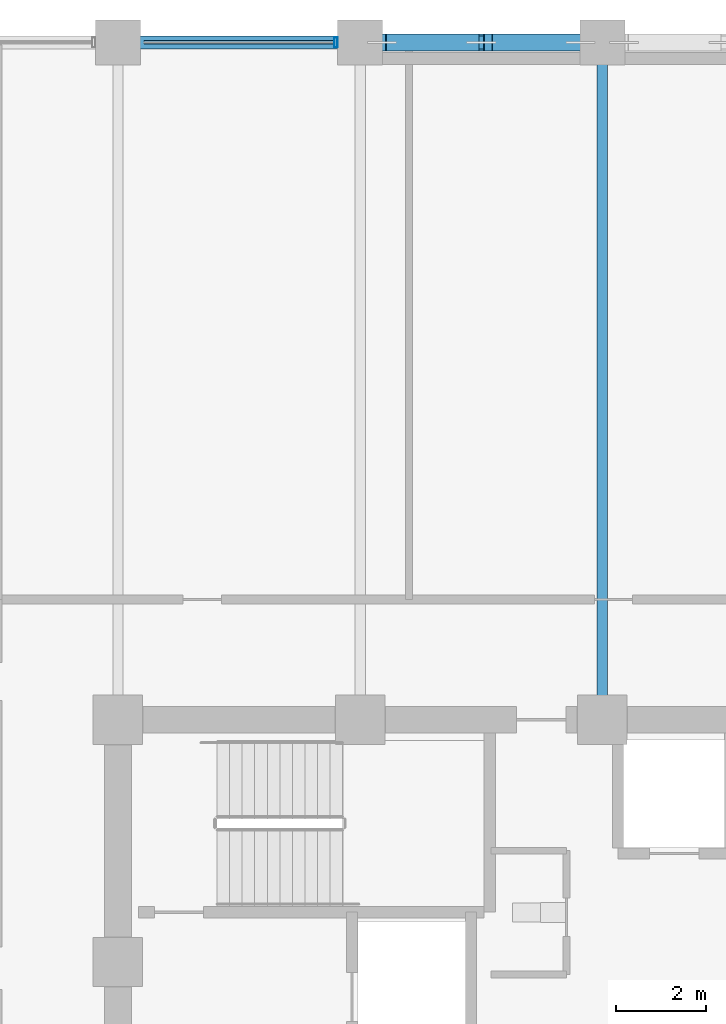
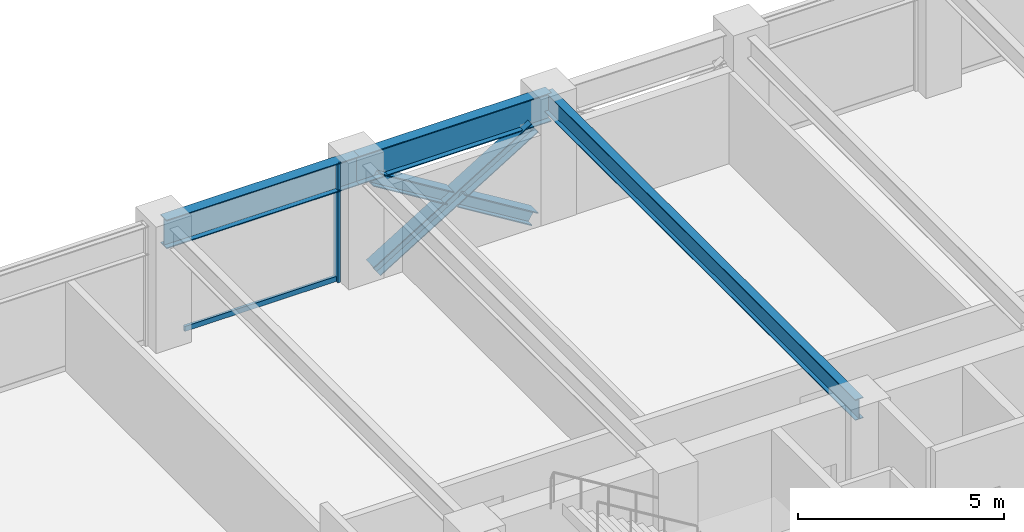
# One storey, part 13 of 23: 5 members, 3 beams, 1 element without a shape of its own.
"""IFC4 building model written with IfcOpenShell, lengths in metres."""

from ifc_helpers import new_model, si_unit, direction, frame, origin, origin_2d, place, context, subcontext, project, spatial, hollow_rectangle, i_section, extrude, material, layer, layer_set, material_profile, profile_set, type_object, element, aggregate, save


model = new_model("IFC4")

# Units and contexts
model_context = context("Model", 3, precision=1e-05, world=origin(), true_north=direction((0.0, 1.0)))
body_context = subcontext(model_context, "Body", "Model", "MODEL_VIEW")
ifc_project = project(units=[si_unit("LENGTHUNIT", "METRE"), si_unit("AREAUNIT", "SQUARE_METRE"), si_unit("VOLUMEUNIT", "CUBIC_METRE"), si_unit("PLANEANGLEUNIT", "RADIAN"), si_unit("MASSUNIT", "GRAM", prefix="KILO")], contexts=[model_context])

# Site, building, storey
site_placement = place(None, origin())
site = spatial("IfcSite", under=ifc_project, at=site_placement, CompositionType="ELEMENT")
building_placement = place(site_placement, origin())
building = spatial("IfcBuilding", under=site, at=building_placement, Name="Surkhivell Harbour Commons", CompositionType="ELEMENT")
storey_placement = place(building_placement, frame((0.0, 0.0, 132.0)))
storey = spatial("IfcBuildingStorey", under=building, at=storey_placement, Name="L34", CompositionType="ELEMENT", Elevation=132.0)

# Beams
ifc_material_1 = material(Name="Steel S355", Category="steel")
ifc_material_profile_1 = material_profile(ifc_material_1, i_section(OverallWidth=0.22998046875, OverallDepth=0.616943359375, WebThickness=0.01318359375, FlangeThickness=0.022216796875, at=origin_2d()), Name="UB610x229x140")
ifc_profile_set_1 = profile_set([ifc_material_profile_1], Name="Steel S355")
beam_type_1 = type_object("IfcBeamType", Name="BM-GRD-610B", PredefinedType="BEAM", material=ifc_profile_set_1)
beam_1_placement = place(storey_placement, frame((0.0, 10.800048828125, 3.261474609375), z_axis=(0.0, 1.0, 0.0), x_axis=(-1.0, 0.0, 0.0)))
element("IfcBeam", 1, at=beam_1_placement, inside=storey, type_object=beam_type_1, Name="L34 Floor Girder (0.0,10.8)", PredefinedType="BEAM", context=body_context, shape_type="SweptSolid", body=[
    extrude(i_section(OverallWidth=0.22998046875, OverallDepth=0.616943359375, WebThickness=0.01318359375, FlangeThickness=0.022216796875, at=origin_2d()), origin(), (0.0, 0.0, 1.0), 15.099853515625),
])
ifc_material_2 = material(Name="Steel S460", Category="steel")
ifc_material_profile_2 = material_profile(ifc_material_2, i_section(OverallWidth=0.2939453125, OverallDepth=0.85107421875, WebThickness=0.01611328125, FlangeThickness=0.02685546875, at=origin_2d()), Name="UB838x292x226")
ifc_profile_set_2 = profile_set([ifc_material_profile_2], Name="Steel S460")
beam_type_2 = type_object("IfcBeamType", Name="BM-SPN-838", PredefinedType="SPANDREL", material=ifc_profile_set_2)
beam_2_placement = place(storey_placement, frame((-10.800048828125, 25.89990234375, 3.14453125), z_axis=(1.0, 0.0, 0.0), x_axis=(0.0, 1.0, 0.0)))
element("IfcBeam", 2, at=beam_2_placement, inside=storey, type_object=beam_type_2, Name="L34 Tube Spandrel (-10.8,25.9)", PredefinedType="SPANDREL", context=body_context, shape_type="SweptSolid", body=[
    extrude(i_section(OverallWidth=0.2939453125, OverallDepth=0.85107421875, WebThickness=0.01611328125, FlangeThickness=0.02685546875, at=origin_2d()), origin(), (0.0, 0.0, 1.0), 5.400146484375),
])
beam_3_placement = place(storey_placement, frame((-5.39990234375, 25.89990234375, 3.14453125), z_axis=(1.0, 0.0, 0.0), x_axis=(0.0, 1.0, 0.0)))
element("IfcBeam", 3, at=beam_3_placement, inside=storey, type_object=beam_type_2, Name="L34 Tube Spandrel (-5.4,25.9)", PredefinedType="SPANDREL", context=body_context, shape_type="SweptSolid", body=[
    extrude(i_section(OverallWidth=0.2939453125, OverallDepth=0.85107421875, WebThickness=0.01611328125, FlangeThickness=0.02685546875, at=origin_2d()), origin(), (0.0, 0.0, 1.0), 5.39990234375),
])

# Curtain wall, members
ifc_material_3 = material(Name="Anodised pale-metal aluminium and insulated glazing", Category="aluminium")
ifc_layer = layer(ifc_material_3, 0.205078125)
ifc_layer_set = layer_set([ifc_layer], Name="Anodised pale-metal aluminium and insulated glazing")
curtain_wall_type = type_object("IfcCurtainWallType", Name="CW-SYS-Z2", PredefinedType="NOTDEFINED", material=ifc_layer_set)
curtain_wall_placement = place(storey_placement, origin())
curtain_wall = element("IfcCurtainWall", 4, at=curtain_wall_placement, inside=storey, type_object=curtain_wall_type, Name="L34 Curtain Wall CW-L34-E07S2", PredefinedType="NOTDEFINED")
ifc_material_4 = material(Name="Anodised pale-metal aluminium alloy 6063-T6", Category="aluminium")
ifc_material_profile_3 = material_profile(ifc_material_4, hollow_rectangle(XDim=0.074951171875, YDim=0.219970703125, WallThickness=0.00390625, at=origin_2d()), Name="ALU-MULL-75x220")
ifc_profile_set_3 = profile_set([ifc_material_profile_3], Name="Anodised pale-metal aluminium alloy 6063-T6")
member_type_1 = type_object("IfcMemberType", Name="CWM-220", PredefinedType="MULLION", material=ifc_profile_set_3)
member_1_placement = place(storey_placement, frame((-5.939453125, 25.89990234375, 0.0), z_axis=(0.0, 0.0, 1.0), x_axis=(-1.0, 0.0, 0.0)))
member_1 = element("IfcMember", 5, at=member_1_placement, type_object=member_type_1, Name="CW-Z2 mullion 1", PredefinedType="MULLION", context=body_context, shape_type="SweptSolid", body=[
    extrude(hollow_rectangle(XDim=0.074951171875, YDim=0.219970703125, WallThickness=0.00390625, at=origin_2d()), origin(), (0.0, 0.0, 1.0), 3.570068359375),
])
ifc_material_profile_4 = material_profile(ifc_material_4, hollow_rectangle(XDim=0.074951171875, YDim=0.14990234375, WallThickness=0.00341796875, at=origin_2d()), Name="ALU-TRAN-75x150")
ifc_profile_set_4 = profile_set([ifc_material_profile_4], Name="Anodised pale-metal aluminium alloy 6063-T6")
member_type_2 = type_object("IfcMemberType", Name="CWT-150", PredefinedType="USERDEFINED", material=ifc_profile_set_4)
member_2_placement = place(storey_placement, frame((-5.97705078125, 25.89990234375, 0.074951171875), z_axis=(-1.0, 0.0, 0.0), x_axis=(0.0, -1.0, 0.0)))
member_2 = element("IfcMember", 6, at=member_2_placement, type_object=member_type_2, Name="CW-Z2 transom 1.1", ObjectType="TRANSOM", PredefinedType="USERDEFINED", context=body_context, shape_type="SweptSolid", body=[
    extrude(hollow_rectangle(XDim=0.074951171875, YDim=0.14990234375, WallThickness=0.00341796875, at=origin_2d()), origin(), (0.0, 0.0, 1.0), 4.245849609375),
])
aggregate(curtain_wall, [member_1, member_2])

# Members
ifc_material_profile_5 = material_profile(ifc_material_2, i_section(OverallWidth=0.375, OverallDepth=0.375, WebThickness=0.0166015625, FlangeThickness=0.027099609375, at=origin_2d()), Name="UC356x368x202")
ifc_profile_set_5 = profile_set([ifc_material_profile_5], Name="Steel S460")
member_type_3 = type_object("IfcMemberType", Name="MEM-BRC-UC356", PredefinedType="BRACE", material=ifc_profile_set_5)
member_3_placement = place(storey_placement, frame((-4.9150390625, 25.89990234375, 0.008056640625), z_axis=(0.852624888477, 0.0, 0.522523491864), x_axis=(0.0, 1.0, 0.0)))
element("IfcMember", 7, at=member_3_placement, inside=storey, type_object=member_type_3, Name="L34 Perimeter Mega-Brace MB- 01", PredefinedType="BRACE", context=body_context, shape_type="SweptSolid", body=[
    extrude(i_section(OverallWidth=0.375, OverallDepth=0.375, WebThickness=0.0166015625, FlangeThickness=0.027099609375, at=origin_2d()), origin(), (0.0, 0.0, 1.0), 5.195556640625),
])
for number, where, z_axis, x_axis, name in (
    (8, (-0.485107421875, 25.89990234375, 0.008056640625), (-0.852589641581, 0.0, 0.522581001443), (0.0, -1.0, 0.0), "L34 Perimeter Mega-Brace MB- 02"),
    (9, (-2.853515625, 25.89990234375, 1.459716796875), (-0.852662200332, 0.0, 0.522462603567), (0.0, -1.0, 0.0), "L34 Perimeter Mega-Brace MB- 03"),
):
    element("IfcMember", number, at=place(storey_placement, frame(where, z_axis=z_axis, x_axis=x_axis)), inside=storey, type_object=member_type_3, Name=name, PredefinedType="BRACE", context=body_context, shape_type="SweptSolid", body=[
        extrude(i_section(OverallWidth=0.375, OverallDepth=0.375, WebThickness=0.0166015625, FlangeThickness=0.027099609375, at=origin_2d()), origin(), (0.0, 0.0, 1.0), 2.417724609375),
    ])

save(model, "model.ifc")
